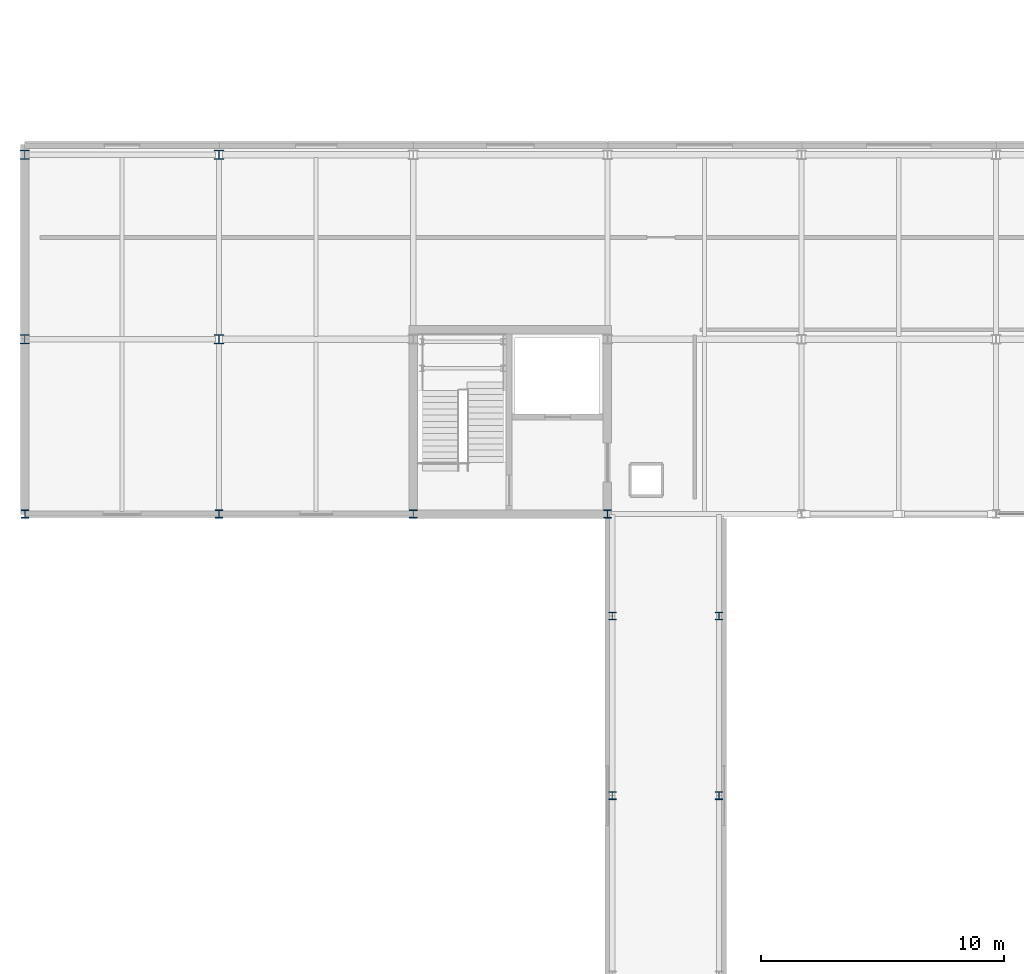
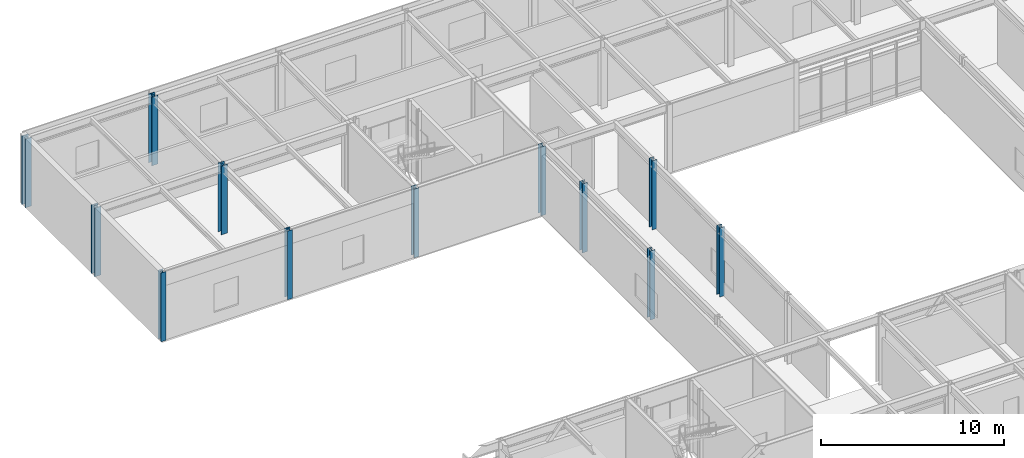
# One storey, part 5 of 104: 12 columns.
"""IFC4 building model written with IfcOpenShell, lengths in metres."""

from ifc_helpers import new_model, si_unit, direction, frame, origin, origin_2d, place, context, subcontext, project, spatial, i_section, extrude, material, material_profile, profile_set, type_object, element, save


model = new_model("IFC4")

# Units and contexts
model_context = context("Model", 3, precision=1e-05, world=origin(), true_north=direction((0.0, 1.0)))
body_context = subcontext(model_context, "Body", "Model", "MODEL_VIEW")
ifc_project = project(units=[si_unit("LENGTHUNIT", "METRE"), si_unit("AREAUNIT", "SQUARE_METRE"), si_unit("VOLUMEUNIT", "CUBIC_METRE"), si_unit("PLANEANGLEUNIT", "RADIAN"), si_unit("MASSUNIT", "GRAM", prefix="KILO")], contexts=[model_context])

# Site, building, storey
site_placement = place(None, origin())
site = spatial("IfcSite", under=ifc_project, at=site_placement, CompositionType="ELEMENT")
building_placement = place(site_placement, origin())
building = spatial("IfcBuilding", under=site, at=building_placement, Name="Zulena Civic Courthouse", CompositionType="ELEMENT")
storey_placement = place(building_placement, frame((0.0, 0.0, 10.800048828125)))
storey = spatial("IfcBuildingStorey", under=building, at=storey_placement, Name="L02", CompositionType="ELEMENT", Elevation=10.800048828125)

# Columns
ifc_material = material(Name="Steel ASTM A992 Grade 50", Category="steel")
ifc_material_profile_1 = material_profile(ifc_material, i_section(OverallWidth=0.31298828125, OverallDepth=0.3330078125, WebThickness=0.01806640625, FlangeThickness=0.0283203125, FilletRadius=0.01513671875, at=origin_2d()), Name="W12X120")
ifc_profile_set_1 = profile_set([ifc_material_profile_1], Name="Steel ASTM A992 Grade 50")
column_type_1 = type_object("IfcColumnType", Name="Col_W12X120", PredefinedType="COLUMN", material=ifc_profile_set_1)
for number, where, z_axis, x_axis, name in (
    (1, (4.0, 46.0, 0.0), (0.0, 0.0, 1.0), (1.0, 0.0, 0.0), "col:V5:L02:4.0:46.0"),
    (2, (12.0, 46.0, 0.0), (0.0, 0.0, 1.0), (1.0, 0.0, 0.0), "col:V5:L02:12.0:46.0"),
    (3, (20.0, 46.0, 0.0), (0.0, 0.0, 1.0), (1.0, 0.0, 0.0), "col:V5:L02:20.0:46.0"),
    (4, (28.0, 46.0, 0.0), (0.0, 0.0, 1.0), (1.0, 0.0, 0.0), "col:V5:L02:28.0:46.0"),
):
    element("IfcColumn", number, at=place(storey_placement, frame(where, z_axis=z_axis, x_axis=x_axis)), inside=storey, type_object=column_type_1, Name=name, PredefinedType="COLUMN", context=body_context, shape_type="SweptSolid", body=[
        extrude(i_section(OverallWidth=0.31298828125, OverallDepth=0.3330078125, WebThickness=0.01806640625, FlangeThickness=0.0283203125, FilletRadius=0.01513671875, at=origin_2d()), origin(), (0.0, 0.0, 1.0), 4.58984375),
    ])
ifc_material_profile_2 = material_profile(ifc_material, i_section(OverallWidth=0.30908203125, OverallDepth=0.322998046875, WebThickness=0.013916015625, FlangeThickness=0.02294921875, FilletRadius=0.01513671875, at=origin_2d()), Name="W12X96")
ifc_profile_set_2 = profile_set([ifc_material_profile_2], Name="Steel ASTM A992 Grade 50")
column_type_2 = type_object("IfcColumnType", Name="Col_W12X96", PredefinedType="COLUMN", material=ifc_profile_set_2)
for number, where, z_axis, x_axis, name in (
    (5, (28.199951171875, 34.39990234375, 0.0), (0.0, 0.0, 1.0), (1.0, 0.0, 0.0), "col:bridge:BR-52J:L02:28.20:34.40"),
    (6, (28.199951171875, 41.800048828125, 0.0), (0.0, 0.0, 1.0), (1.0, 0.0, 0.0), "col:bridge:BR-52J:L02:28.20:41.80"),
    (7, (32.60009765625, 34.39990234375, 0.0), (0.0, 0.0, 1.0), (1.0, 0.0, 0.0), "col:bridge:BR-52J:L02:32.60:34.40"),
    (8, (32.60009765625, 41.800048828125, 0.0), (0.0, 0.0, 1.0), (1.0, 0.0, 0.0), "col:bridge:BR-52J:L02:32.60:41.80"),
):
    element("IfcColumn", number, at=place(storey_placement, frame(where, z_axis=z_axis, x_axis=x_axis)), inside=storey, type_object=column_type_2, Name=name, PredefinedType="COLUMN", context=body_context, shape_type="SweptSolid", body=[
        extrude(i_section(OverallWidth=0.30908203125, OverallDepth=0.322998046875, WebThickness=0.013916015625, FlangeThickness=0.02294921875, FilletRadius=0.01513671875, at=origin_2d()), origin(), (0.0, 0.0, 1.0), 4.60498046875),
    ])
ifc_material_profile_3 = material_profile(ifc_material, i_section(OverallWidth=0.39404296875, OverallDepth=0.3759765625, WebThickness=0.017333984375, FlangeThickness=0.027587890625, FilletRadius=0.01513671875, at=origin_2d()), Name="W14X145")
ifc_profile_set_3 = profile_set([ifc_material_profile_3], Name="Steel ASTM A992 Grade 50")
column_type_3 = type_object("IfcColumnType", Name="Col_W14X145", PredefinedType="COLUMN", material=ifc_profile_set_3)
for number, where, z_axis, x_axis, name in (
    (9, (12.0, 53.199951171875, 0.0), (0.0, 0.0, 1.0), (1.0, 0.0, 0.0), "col:V5:L02:12.0:53.2"),
    (10, (12.0, 60.800048828125, 0.0), (0.0, 0.0, 1.0), (1.0, 0.0, 0.0), "col:V5:L02:12.0:60.8"),
):
    element("IfcColumn", number, at=place(storey_placement, frame(where, z_axis=z_axis, x_axis=x_axis)), inside=storey, type_object=column_type_3, Name=name, PredefinedType="COLUMN", context=body_context, shape_type="SweptSolid", body=[
        extrude(i_section(OverallWidth=0.39404296875, OverallDepth=0.3759765625, WebThickness=0.017333984375, FlangeThickness=0.027587890625, FilletRadius=0.01513671875, at=origin_2d()), origin(), (0.0, 0.0, 1.0), 4.58984375),
    ])
ifc_material_profile_4 = material_profile(ifc_material, i_section(OverallWidth=0.40087890625, OverallDepth=0.39892578125, WebThickness=0.02490234375, FlangeThickness=0.03955078125, FilletRadius=0.01513671875, at=origin_2d()), Name="W14X211")
ifc_profile_set_4 = profile_set([ifc_material_profile_4], Name="Steel ASTM A992 Grade 50")
column_type_4 = type_object("IfcColumnType", Name="Col_W14X211", PredefinedType="COLUMN", material=ifc_profile_set_4)
for number, where, z_axis, x_axis, name in (
    (11, (4.0, 53.199951171875, 0.0), (0.0, 0.0, 1.0), (1.0, 0.0, 0.0), "col:V5:L02:4.0:53.2"),
    (12, (4.0, 60.800048828125, 0.0), (0.0, 0.0, 1.0), (1.0, 0.0, 0.0), "col:V5:L02:4.0:60.8"),
):
    element("IfcColumn", number, at=place(storey_placement, frame(where, z_axis=z_axis, x_axis=x_axis)), inside=storey, type_object=column_type_4, Name=name, PredefinedType="COLUMN", context=body_context, shape_type="SweptSolid", body=[
        extrude(i_section(OverallWidth=0.40087890625, OverallDepth=0.39892578125, WebThickness=0.02490234375, FlangeThickness=0.03955078125, FilletRadius=0.01513671875, at=origin_2d()), origin(), (0.0, 0.0, 1.0), 4.58984375),
    ])

save(model, "model.ifc")
